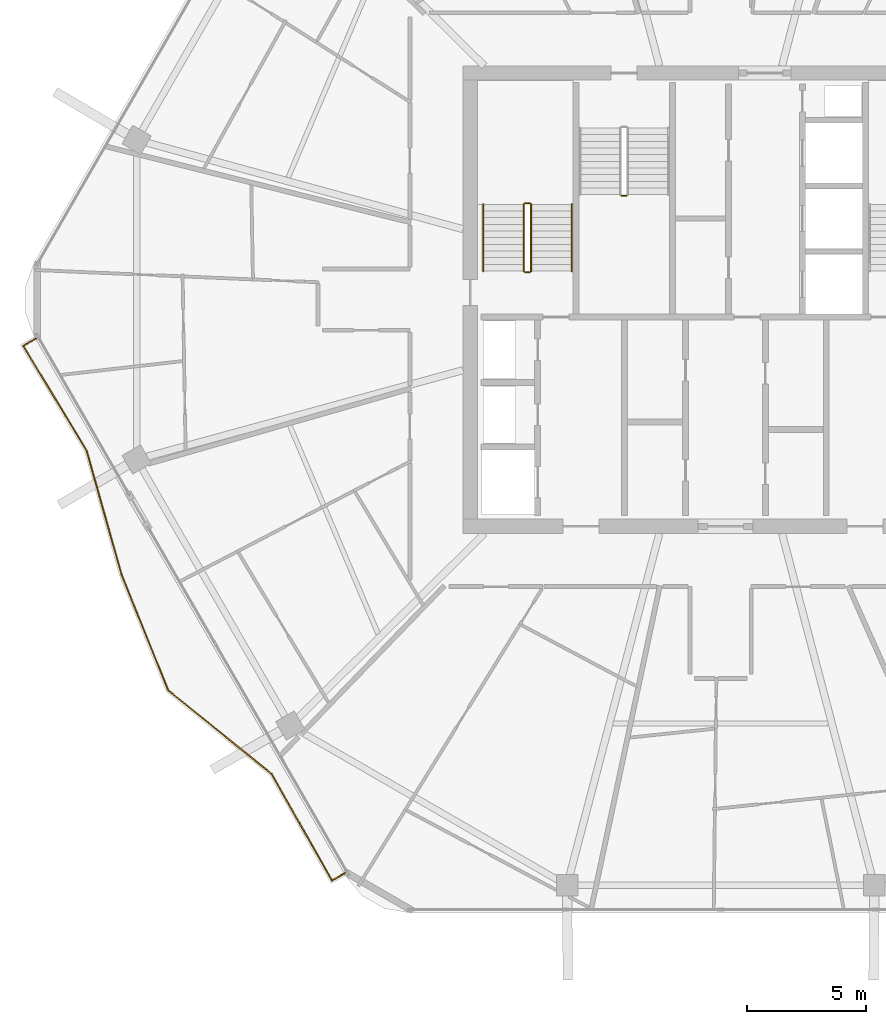
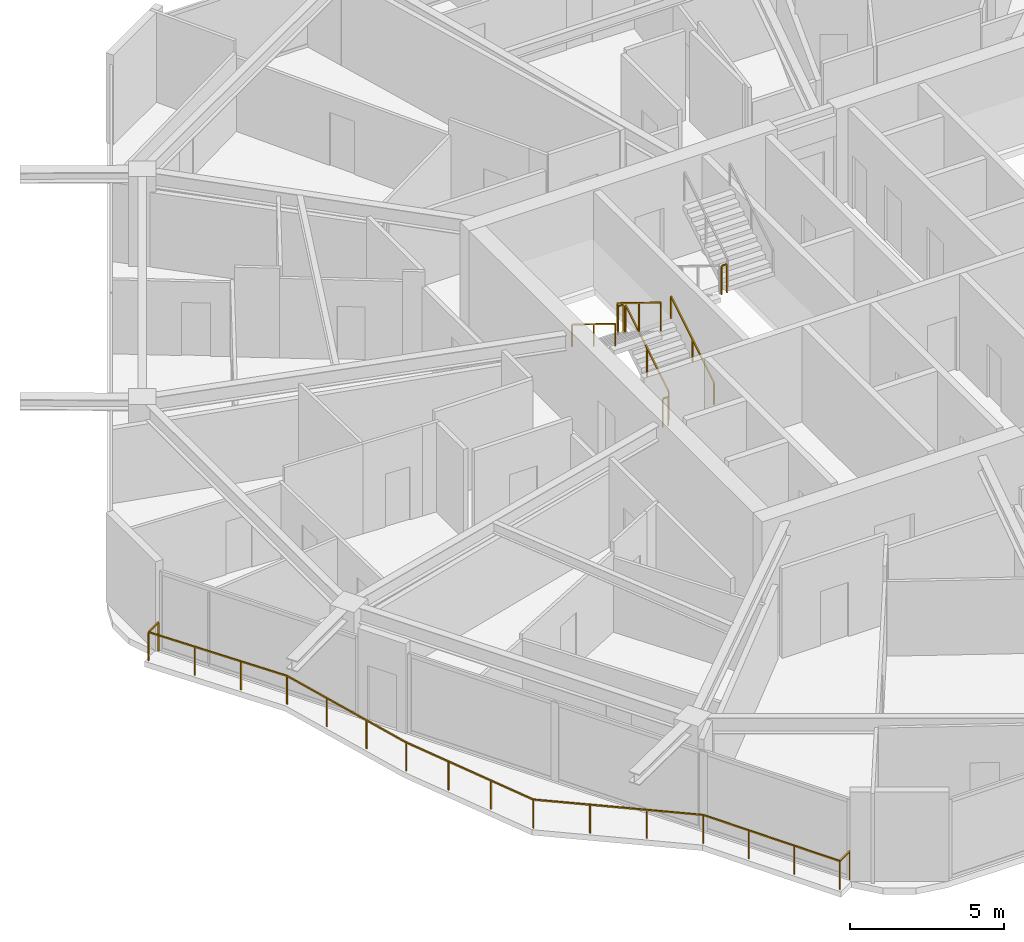
# One storey, part 24 of 26: 8 railings.
"""IFC4 building model written with IfcOpenShell, lengths in metres."""

from ifc_helpers import new_model, si_unit, direction, frame, origin, origin_2d, place, context, subcontext, project, spatial, rectangle, extrude, material, type_object, element, save


model = new_model("IFC4")

# Units and contexts
model_context = context("Model", 3, precision=1e-05, world=origin(), true_north=direction((0.0, 1.0)))
body_context = subcontext(model_context, "Body", "Model", "MODEL_VIEW")
ifc_project = project(units=[si_unit("LENGTHUNIT", "METRE"), si_unit("AREAUNIT", "SQUARE_METRE"), si_unit("VOLUMEUNIT", "CUBIC_METRE"), si_unit("PLANEANGLEUNIT", "RADIAN"), si_unit("MASSUNIT", "GRAM", prefix="KILO")], contexts=[model_context])

# Site, building, storey
site_placement = place(None, origin())
site = spatial("IfcSite", under=ifc_project, at=site_placement, CompositionType="ELEMENT")
building_placement = place(site_placement, origin())
building = spatial("IfcBuilding", under=site, at=building_placement, Name="Zuhravey Tower", CompositionType="ELEMENT")
storey_placement = place(building_placement, frame((0.0, 0.0, 250.199951171875)))
storey = spatial("IfcBuildingStorey", under=building, at=storey_placement, Name="L63", CompositionType="ELEMENT", Elevation=250.199951171875)

# Railings
ifc_material_1 = material(Name="Stainless steel 316 and laminated glass", Category="steel")
railing_type_1 = type_object("IfcRailingType", Name="Balcony & Terrace Guardrail 1150", PredefinedType="BALUSTRADE", material=ifc_material_1)
railing_1_placement = place(storey_placement, frame((20.25830078125, 7.968017578125, 0.0)))
element("IfcRailing", 1, at=railing_1_placement, inside=storey, type_object=railing_type_1, Name="L63 Face 4 Wave Balcony Guardrail GR1", PredefinedType="BALUSTRADE", context=body_context, shape_type="SweptSolid", body=[
    extrude(rectangle(XDim=0.048095703125, YDim=0.048095703125, at=origin_2d()), frame((-0.001708984375, -0.0009765625, 1.1259765625), z_axis=(-0.865905532852, -0.500207565094, 0.0), x_axis=(0.500207565094, -0.865905532852, 0.0)), (0.0, 0.0, 1.0), 0.635009765625),
    extrude(rectangle(XDim=0.048095703125, YDim=0.048095703125, at=origin_2d()), frame((-0.55419921875, -0.31787109375, 1.1259765625), z_axis=(-0.492550662798, 0.870283772443, 0.0), x_axis=(-0.870283772443, -0.492550662798, 0.0)), (0.0, 0.0, 1.0), 5.131103515625),
    extrude(rectangle(XDim=0.048095703125, YDim=0.048095703125, at=origin_2d()), frame((-3.083984375, 4.150634765625, 1.1259765625), z_axis=(-0.777503523869, 0.628878581581, 0.0), x_axis=(-0.628878581581, -0.777503523869, 0.0)), (0.0, 0.0, 1.0), 5.577880859375),
    extrude(rectangle(XDim=0.048095703125, YDim=0.048095703125, at=origin_2d()), frame((-7.423095703125, 7.66162109375, 1.1259765625), z_axis=(-0.37321421731, 0.927745195621, 0.0), x_axis=(-0.927745195621, -0.37321421731, 0.0)), (0.0, 0.0, 1.0), 5.23388671875),
    extrude(rectangle(XDim=0.048095703125, YDim=0.048095703125, at=origin_2d()), frame((-9.377685546875, 12.52099609375, 1.1259765625), z_axis=(-0.271531165515, 0.962429647379, 0.0), x_axis=(-0.962429647379, -0.271531165515, 0.0)), (0.0, 0.0, 1.0), 5.38623046875),
    extrude(rectangle(XDim=0.048095703125, YDim=0.048095703125, at=origin_2d()), frame((-10.841796875, 17.70849609375, 1.1259765625), z_axis=(-0.517258021044, 0.855829503853, 0.0), x_axis=(-0.855829503853, -0.517258021044, 0.0)), (0.0, 0.0, 1.0), 5.125),
    extrude(rectangle(XDim=0.048095703125, YDim=0.048095703125, at=origin_2d()), frame((-13.4921875, 22.097412109375, 1.1259765625), z_axis=(0.866115488442, 0.499843936326, 0.0), x_axis=(-0.499843936326, 0.866115488442, 0.0)), (0.0, 0.0, 1.0), 0.6337890625),
    extrude(rectangle(XDim=0.0419921875, YDim=0.0419921875, at=origin_2d()), origin(), (0.0, 0.0, 1.0), 1.099853515625),
    extrude(rectangle(XDim=0.0419921875, YDim=0.0419921875, at=origin_2d()), frame((-0.55322265625, -0.319580078125, 0.0)), (0.0, 0.0, 1.0), 1.099853515625),
    extrude(rectangle(XDim=0.0419921875, YDim=0.0419921875, at=origin_2d()), frame((-1.396240234375, 1.170166015625, 0.0)), (0.0, 0.0, 1.0), 1.099853515625),
    extrude(rectangle(XDim=0.0419921875, YDim=0.0419921875, at=origin_2d()), frame((-2.239501953125, 2.65966796875, 0.0)), (0.0, 0.0, 1.0), 1.099853515625),
    extrude(rectangle(XDim=0.0419921875, YDim=0.0419921875, at=origin_2d()), frame((-3.08251953125, 4.1494140625, 0.0)), (0.0, 0.0, 1.0), 1.099853515625),
    extrude(rectangle(XDim=0.0419921875, YDim=0.0419921875, at=origin_2d()), frame((-4.529052734375, 5.319580078125, 0.0)), (0.0, 0.0, 1.0), 1.099853515625),
    extrude(rectangle(XDim=0.0419921875, YDim=0.0419921875, at=origin_2d()), frame((-5.975830078125, 6.489501953125, 0.0)), (0.0, 0.0, 1.0), 1.099853515625),
    extrude(rectangle(XDim=0.0419921875, YDim=0.0419921875, at=origin_2d()), frame((-7.42236328125, 7.65966796875, 0.0)), (0.0, 0.0, 1.0), 1.099853515625),
    extrude(rectangle(XDim=0.0419921875, YDim=0.0419921875, at=origin_2d()), frame((-8.073974609375, 9.279541015625, 0.0)), (0.0, 0.0, 1.0), 1.099853515625),
    extrude(rectangle(XDim=0.0419921875, YDim=0.0419921875, at=origin_2d()), frame((-8.7255859375, 10.899169921875, 0.0)), (0.0, 0.0, 1.0), 1.099853515625),
    extrude(rectangle(XDim=0.0419921875, YDim=0.0419921875, at=origin_2d()), frame((-9.377197265625, 12.51904296875, 0.0)), (0.0, 0.0, 1.0), 1.099853515625),
    extrude(rectangle(XDim=0.0419921875, YDim=0.0419921875, at=origin_2d()), frame((-9.864990234375, 14.248291015625, 0.0)), (0.0, 0.0, 1.0), 1.099853515625),
    extrude(rectangle(XDim=0.0419921875, YDim=0.0419921875, at=origin_2d()), frame((-10.35302734375, 15.9775390625, 0.0)), (0.0, 0.0, 1.0), 1.099853515625),
    extrude(rectangle(XDim=0.0419921875, YDim=0.0419921875, at=origin_2d()), frame((-10.8408203125, 17.706787109375, 0.0)), (0.0, 0.0, 1.0), 1.099853515625),
    extrude(rectangle(XDim=0.0419921875, YDim=0.0419921875, at=origin_2d()), frame((-11.72509765625, 19.169921875, 0.0)), (0.0, 0.0, 1.0), 1.099853515625),
    extrude(rectangle(XDim=0.0419921875, YDim=0.0419921875, at=origin_2d()), frame((-12.609619140625, 20.63330078125, 0.0)), (0.0, 0.0, 1.0), 1.099853515625),
    extrude(rectangle(XDim=0.0419921875, YDim=0.0419921875, at=origin_2d()), frame((-13.493896484375, 22.096435546875, 0.0)), (0.0, 0.0, 1.0), 1.099853515625),
    extrude(rectangle(XDim=0.0419921875, YDim=0.0419921875, at=origin_2d()), frame((-12.94140625, 22.415283203125, 0.0)), (0.0, 0.0, 1.0), 1.099853515625),
])
ifc_material_2 = material(Name="Brushed stainless steel", Category="steel")
railing_type_2 = type_object("IfcRailingType", Name="Stair Wall Handrail 900", PredefinedType="HANDRAIL", material=ifc_material_2)
railing_2_placement = place(storey_placement, frame((29.75, 33.199951171875, 0.1728515625)))
element("IfcRailing", 2, at=railing_2_placement, inside=storey, type_object=railing_type_2, Name="L63 ST1 stair handrail 1", PredefinedType="HANDRAIL", context=body_context, shape_type="SweptSolid", body=[
    extrude(rectangle(XDim=0.048095703125, YDim=0.048095703125, at=origin_2d()), frame((0.0, 0.001708984375, 0.876953125), z_axis=(0.0, 0.851089632645, 0.525020415988), x_axis=(-1.0, 0.0, 0.0)), (0.0, 0.0, 1.0), 3.285888671875),
    extrude(rectangle(XDim=0.0419921875, YDim=0.0419921875, at=origin_2d()), origin(), (0.0, 0.0, 1.0), 0.849853515625),
    extrude(rectangle(XDim=0.0419921875, YDim=0.0419921875, at=origin_2d()), frame((0.0, 1.39990234375, 0.86376953125)), (0.0, 0.0, 1.0), 0.849853515625),
    extrude(rectangle(XDim=0.0419921875, YDim=0.0419921875, at=origin_2d()), frame((0.0, 2.800048828125, 1.727294921875)), (0.0, 0.0, 1.0), 0.849853515625),
])
railing_3_placement = place(storey_placement, frame((26.050048828125, 36.0, 2.07275390625)))
element("IfcRailing", 3, at=railing_3_placement, inside=storey, type_object=railing_type_2, Name="L63 ST1 stair handrail 2", PredefinedType="HANDRAIL", context=body_context, shape_type="SweptSolid", body=[
    extrude(rectangle(XDim=0.048095703125, YDim=0.048095703125, at=origin_2d()), frame((0.0, -0.001708984375, 0.876953125), z_axis=(0.0, -0.851089632645, 0.525020415988), x_axis=(1.0, 0.0, 0.0)), (0.0, 0.0, 1.0), 3.285888671875),
    extrude(rectangle(XDim=0.0419921875, YDim=0.0419921875, at=origin_2d()), origin(), (0.0, 0.0, 1.0), 0.849853515625),
    extrude(rectangle(XDim=0.0419921875, YDim=0.0419921875, at=origin_2d()), frame((0.0, -1.39990234375, 0.86376953125)), (0.0, 0.0, 1.0), 0.849853515625),
    extrude(rectangle(XDim=0.0419921875, YDim=0.0419921875, at=origin_2d()), frame((0.0, -2.800048828125, 1.727294921875)), (0.0, 0.0, 1.0), 0.849853515625),
])
ifc_material_3 = material(Name="Painted tubular steel", Category="steel")
railing_type_3 = type_object("IfcRailingType", Name="Stair Well Guardrail 1150", PredefinedType="GUARDRAIL", material=ifc_material_3)
railing_4_placement = place(storey_placement, frame((28.050048828125, 33.199951171875, 0.1728515625)))
element("IfcRailing", 4, at=railing_4_placement, inside=storey, type_object=railing_type_3, Name="L63 ST1 stair guard 1", PredefinedType="GUARDRAIL", context=body_context, shape_type="SweptSolid", body=[
    extrude(rectangle(XDim=0.048095703125, YDim=0.048095703125, at=origin_2d()), frame((0.0, 0.001708984375, 1.126953125), z_axis=(0.0, 0.851089632645, 0.525020415988), x_axis=(-1.0, 0.0, 0.0)), (0.0, 0.0, 1.0), 3.285888671875),
    extrude(rectangle(XDim=0.0419921875, YDim=0.0419921875, at=origin_2d()), origin(), (0.0, 0.0, 1.0), 1.099853515625),
    extrude(rectangle(XDim=0.0419921875, YDim=0.0419921875, at=origin_2d()), frame((0.0, 1.39990234375, 0.86376953125)), (0.0, 0.0, 1.0), 1.099853515625),
    extrude(rectangle(XDim=0.0419921875, YDim=0.0419921875, at=origin_2d()), frame((0.0, 2.800048828125, 1.727294921875)), (0.0, 0.0, 1.0), 1.099853515625),
])
railing_5_placement = place(storey_placement, frame((28.0, 36.050048828125, 1.900146484375)))
element("IfcRailing", 5, at=railing_5_placement, inside=storey, type_object=railing_type_3, Name="L63 ST1 stair guard 2", PredefinedType="GUARDRAIL", context=body_context, shape_type="SweptSolid", body=[
    extrude(rectangle(XDim=0.048095703125, YDim=0.048095703125, at=origin_2d()), frame((-0.001953125, 0.0, 1.1259765625), z_axis=(-1.0, 0.0, 0.0), x_axis=(0.0, -1.0, 0.0)), (0.0, 0.0, 1.0), 0.196044921875),
    extrude(rectangle(XDim=0.0419921875, YDim=0.0419921875, at=origin_2d()), origin(), (0.0, 0.0, 1.0), 1.099853515625),
    extrude(rectangle(XDim=0.0419921875, YDim=0.0419921875, at=origin_2d()), frame((-0.199951171875, 0.0, 0.0)), (0.0, 0.0, 1.0), 1.099853515625),
])
railing_6_placement = place(storey_placement, frame((27.75, 36.0, 2.07275390625)))
element("IfcRailing", 6, at=railing_6_placement, inside=storey, type_object=railing_type_3, Name="L63 ST1 stair guard 3", PredefinedType="GUARDRAIL", context=body_context, shape_type="SweptSolid", body=[
    extrude(rectangle(XDim=0.048095703125, YDim=0.048095703125, at=origin_2d()), frame((0.0, -0.001708984375, 1.126953125), z_axis=(0.0, -0.851089632645, 0.525020415988), x_axis=(1.0, 0.0, 0.0)), (0.0, 0.0, 1.0), 3.285888671875),
    extrude(rectangle(XDim=0.0419921875, YDim=0.0419921875, at=origin_2d()), origin(), (0.0, 0.0, 1.0), 1.099853515625),
    extrude(rectangle(XDim=0.0419921875, YDim=0.0419921875, at=origin_2d()), frame((0.0, -1.39990234375, 0.86376953125)), (0.0, 0.0, 1.0), 1.099853515625),
    extrude(rectangle(XDim=0.0419921875, YDim=0.0419921875, at=origin_2d()), frame((0.0, -2.800048828125, 1.727294921875)), (0.0, 0.0, 1.0), 1.099853515625),
])
railing_7_placement = place(storey_placement, frame((28.0, 33.14990234375, 0.0)))
element("IfcRailing", 7, at=railing_7_placement, inside=storey, type_object=railing_type_3, Name="L63 ST1 stair guard 4", PredefinedType="GUARDRAIL", context=body_context, shape_type="SweptSolid", body=[
    extrude(rectangle(XDim=0.048095703125, YDim=0.048095703125, at=origin_2d()), frame((-0.001953125, 0.0, 1.1259765625), z_axis=(-1.0, 0.0, 0.0), x_axis=(0.0, -1.0, 0.0)), (0.0, 0.0, 1.0), 0.196044921875),
    extrude(rectangle(XDim=0.0419921875, YDim=0.0419921875, at=origin_2d()), origin(), (0.0, 0.0, 1.0), 1.099853515625),
    extrude(rectangle(XDim=0.0419921875, YDim=0.0419921875, at=origin_2d()), frame((-0.199951171875, 0.0, 0.0)), (0.0, 0.0, 1.0), 1.099853515625),
])
railing_8_placement = place(storey_placement, frame((31.85009765625, 36.35009765625, 1.900146484375)))
element("IfcRailing", 8, at=railing_8_placement, inside=storey, type_object=railing_type_3, Name="L63 ST3 stair guard 2", PredefinedType="GUARDRAIL", context=body_context, shape_type="SweptSolid", body=[
    extrude(rectangle(XDim=0.048095703125, YDim=0.048095703125, at=origin_2d()), frame((0.001953125, 0.0, 1.1259765625), z_axis=(1.0, 0.0, 0.0), x_axis=(0.0, 1.0, 0.0)), (0.0, 0.0, 1.0), 0.196044921875),
    extrude(rectangle(XDim=0.0419921875, YDim=0.0419921875, at=origin_2d()), origin(), (0.0, 0.0, 1.0), 1.099853515625),
    extrude(rectangle(XDim=0.0419921875, YDim=0.0419921875, at=origin_2d()), frame((0.199951171875, 0.0, 0.0)), (0.0, 0.0, 1.0), 1.099853515625),
])

save(model, "model.ifc")
